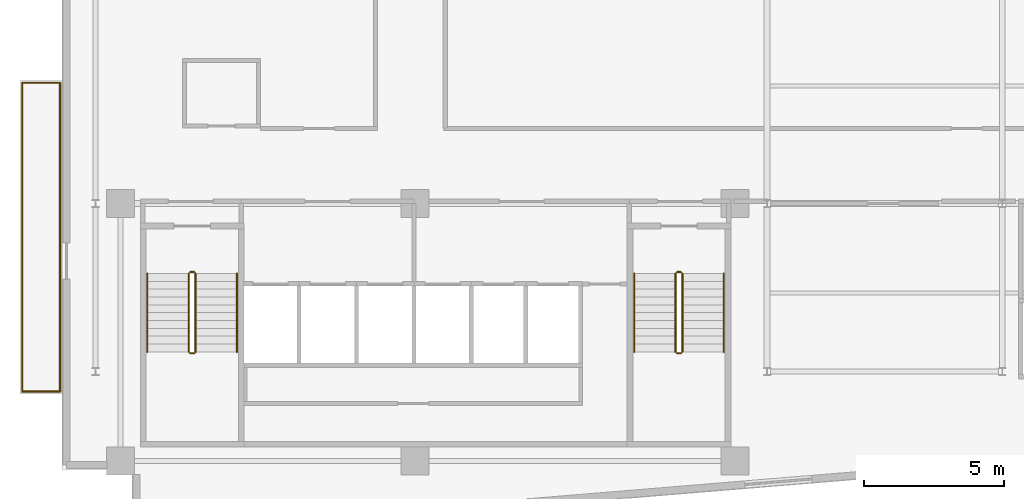
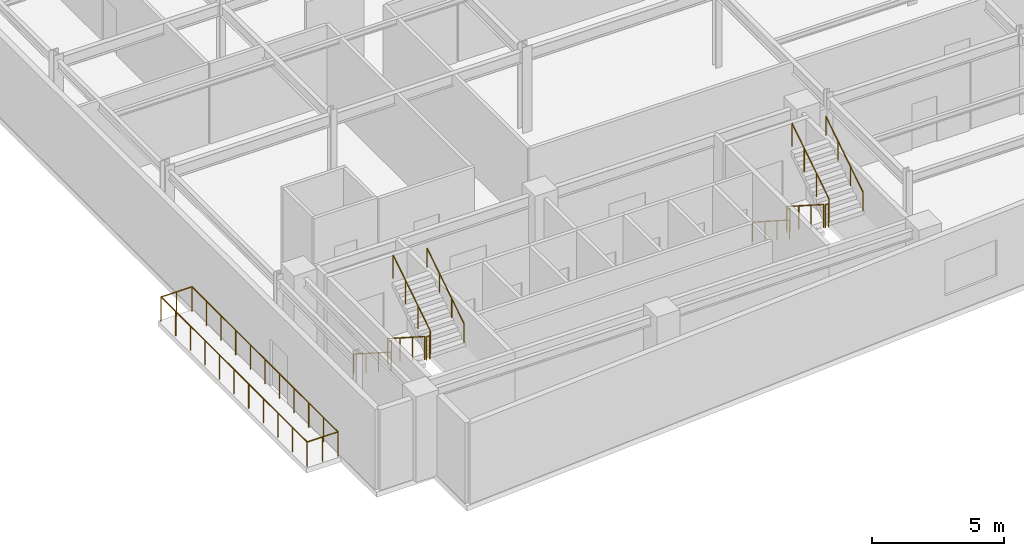
# One storey, part 14 of 16: 16 railings.
"""IFC4 building model written with IfcOpenShell, lengths in metres."""

from ifc_helpers import new_model, si_unit, direction, frame, origin, origin_2d, place, context, subcontext, project, spatial, circle, extrude, material, type_object, element, save


model = new_model("IFC4")

# Units and contexts
model_context = context("Model", 3, precision=1e-05, world=origin(), true_north=direction((0.0, 1.0)))
body_context = subcontext(model_context, "Body", "Model", "MODEL_VIEW")
ifc_project = project(units=[si_unit("LENGTHUNIT", "METRE"), si_unit("AREAUNIT", "SQUARE_METRE"), si_unit("VOLUMEUNIT", "CUBIC_METRE"), si_unit("PLANEANGLEUNIT", "RADIAN"), si_unit("MASSUNIT", "GRAM", prefix="KILO")], contexts=[model_context])

# Site, building, storey
site_placement = place(None, origin())
site = spatial("IfcSite", under=ifc_project, at=site_placement, CompositionType="ELEMENT")
building_placement = place(site_placement, origin())
building = spatial("IfcBuilding", under=site, at=building_placement, Name="Varnakote Quay Hospital", CompositionType="ELEMENT")
storey_placement = place(building_placement, frame((0.0, 0.0, 180.25)))
storey = spatial("IfcBuildingStorey", under=building, at=storey_placement, Name="L44", CompositionType="ELEMENT", Elevation=180.25)

# Railings
ifc_material_1 = material(Name="Anodised aluminium 6063-T6 Bronze", Category="aluminium")
railing_type_1 = type_object("IfcRailingType", Name="RLG-EXT-GUARD-1150", PredefinedType="GUARDRAIL", material=ifc_material_1)
railing_1_placement = place(storey_placement, frame((-0.075927734375, 5.280029296875, 0.0)))
element("IfcRailing", 1, at=railing_1_placement, inside=storey, type_object=railing_type_1, Name="L44 Zigzag Prow Healing Terrace Safety Guard", PredefinedType="GUARDRAIL", context=body_context, shape_type="SweptSolid", body=[
    extrude(circle(Radius=0.02392578125, at=origin_2d()), frame((0.0, 0.0, 1.1259765625), z_axis=(-1.0, 0.0, 0.0), x_axis=(0.0, -1.0, 0.0)), (0.0, 0.0, 1.0), 1.343994140625),
    extrude(circle(Radius=0.02099609375, at=origin_2d()), origin(), (0.0, 0.0, 1.0), 1.101806640625),
    extrude(circle(Radius=0.02099609375, at=origin_2d()), frame((-0.671875, 0.0, 0.0)), (0.0, 0.0, 1.0), 1.101806640625),
    extrude(circle(Radius=0.02099609375, at=origin_2d()), frame((-1.343994140625, 0.0, 0.0)), (0.0, 0.0, 1.0), 1.101806640625),
])
railing_2_placement = place(storey_placement, frame((-1.419921875, 5.280029296875, 0.0)))
element("IfcRailing", 2, at=railing_2_placement, inside=storey, type_object=railing_type_1, Name="L44 Zigzag Prow Healing Terrace Safety Guard", PredefinedType="GUARDRAIL", context=body_context, shape_type="SweptSolid", body=[
    extrude(circle(Radius=0.02392578125, at=origin_2d()), frame((0.0, 0.0, 1.1259765625), z_axis=(0.0, 1.0, 0.0), x_axis=(-1.0, 0.0, 0.0)), (0.0, 0.0, 1.0), 11.0400390625),
    extrude(circle(Radius=0.02099609375, at=origin_2d()), origin(), (0.0, 0.0, 1.0), 1.101806640625),
    extrude(circle(Radius=0.02099609375, at=origin_2d()), frame((0.0, 1.10400390625, 0.0)), (0.0, 0.0, 1.0), 1.101806640625),
    extrude(circle(Radius=0.02099609375, at=origin_2d()), frame((0.0, 2.2080078125, 0.0)), (0.0, 0.0, 1.0), 1.101806640625),
    extrude(circle(Radius=0.02099609375, at=origin_2d()), frame((0.0, 3.31201171875, 0.0)), (0.0, 0.0, 1.0), 1.101806640625),
    extrude(circle(Radius=0.02099609375, at=origin_2d()), frame((0.0, 4.416015625, 0.0)), (0.0, 0.0, 1.0), 1.101806640625),
    extrude(circle(Radius=0.02099609375, at=origin_2d()), frame((0.0, 5.52001953125, 0.0)), (0.0, 0.0, 1.0), 1.101806640625),
    extrude(circle(Radius=0.02099609375, at=origin_2d()), frame((0.0, 6.6240234375, 0.0)), (0.0, 0.0, 1.0), 1.101806640625),
    extrude(circle(Radius=0.02099609375, at=origin_2d()), frame((0.0, 7.72802734375, 0.0)), (0.0, 0.0, 1.0), 1.101806640625),
    extrude(circle(Radius=0.02099609375, at=origin_2d()), frame((0.0, 8.83203125, 0.0)), (0.0, 0.0, 1.0), 1.101806640625),
    extrude(circle(Radius=0.02099609375, at=origin_2d()), frame((0.0, 9.93603515625, 0.0)), (0.0, 0.0, 1.0), 1.101806640625),
    extrude(circle(Radius=0.02099609375, at=origin_2d()), frame((0.0, 11.0400390625, 0.0)), (0.0, 0.0, 1.0), 1.101806640625),
])
railing_3_placement = place(storey_placement, frame((-1.419921875, 16.320068359375, 0.0)))
element("IfcRailing", 3, at=railing_3_placement, inside=storey, type_object=railing_type_1, Name="L44 Zigzag Prow Healing Terrace Safety Guard", PredefinedType="GUARDRAIL", context=body_context, shape_type="SweptSolid", body=[
    extrude(circle(Radius=0.02392578125, at=origin_2d()), frame((0.0, 0.0, 1.1259765625), z_axis=(1.0, 0.0, 0.0), x_axis=(0.0, 1.0, 0.0)), (0.0, 0.0, 1.0), 1.343994140625),
    extrude(circle(Radius=0.02099609375, at=origin_2d()), origin(), (0.0, 0.0, 1.0), 1.101806640625),
    extrude(circle(Radius=0.02099609375, at=origin_2d()), frame((0.671875, 0.0, 0.0)), (0.0, 0.0, 1.0), 1.101806640625),
    extrude(circle(Radius=0.02099609375, at=origin_2d()), frame((1.343994140625, 0.0, 0.0)), (0.0, 0.0, 1.0), 1.101806640625),
])
railing_4_placement = place(storey_placement, frame((-0.075927734375, 16.320068359375, 0.0)))
element("IfcRailing", 4, at=railing_4_placement, inside=storey, type_object=railing_type_1, Name="L44 Zigzag Prow Healing Terrace Safety Guard", PredefinedType="GUARDRAIL", context=body_context, shape_type="SweptSolid", body=[
    extrude(circle(Radius=0.02392578125, at=origin_2d()), frame((0.0, 0.0, 1.1259765625), z_axis=(0.0, -1.0, 0.0), x_axis=(1.0, 0.0, 0.0)), (0.0, 0.0, 1.0), 11.0400390625),
    extrude(circle(Radius=0.02099609375, at=origin_2d()), origin(), (0.0, 0.0, 1.0), 1.101806640625),
    extrude(circle(Radius=0.02099609375, at=origin_2d()), frame((0.0, -1.10400390625, 0.0)), (0.0, 0.0, 1.0), 1.101806640625),
    extrude(circle(Radius=0.02099609375, at=origin_2d()), frame((0.0, -2.2080078125, 0.0)), (0.0, 0.0, 1.0), 1.101806640625),
    extrude(circle(Radius=0.02099609375, at=origin_2d()), frame((0.0, -3.31201171875, 0.0)), (0.0, 0.0, 1.0), 1.101806640625),
    extrude(circle(Radius=0.02099609375, at=origin_2d()), frame((0.0, -4.416015625, 0.0)), (0.0, 0.0, 1.0), 1.101806640625),
    extrude(circle(Radius=0.02099609375, at=origin_2d()), frame((0.0, -5.52001953125, 0.0)), (0.0, 0.0, 1.0), 1.101806640625),
    extrude(circle(Radius=0.02099609375, at=origin_2d()), frame((0.0, -6.6240234375, 0.0)), (0.0, 0.0, 1.0), 1.101806640625),
    extrude(circle(Radius=0.02099609375, at=origin_2d()), frame((0.0, -7.72802734375, 0.0)), (0.0, 0.0, 1.0), 1.101806640625),
    extrude(circle(Radius=0.02099609375, at=origin_2d()), frame((0.0, -8.83203125, 0.0)), (0.0, 0.0, 1.0), 1.101806640625),
    extrude(circle(Radius=0.02099609375, at=origin_2d()), frame((0.0, -9.93603515625, 0.0)), (0.0, 0.0, 1.0), 1.101806640625),
    extrude(circle(Radius=0.02099609375, at=origin_2d()), frame((0.0, -11.0400390625, 0.0)), (0.0, 0.0, 1.0), 1.101806640625),
])
ifc_material_2 = material(Name="Brushed stainless steel balustrade", Category="steel")
railing_type_2 = type_object("IfcRailingType", Name="RLG-STAIR-GUARD-1150", PredefinedType="GUARDRAIL", material=ifc_material_2)
railing_5_placement = place(storey_placement, frame((4.530029296875, 9.5, 0.179443359375)))
element("IfcRailing", 5, at=railing_5_placement, inside=storey, type_object=railing_type_2, Name="L44 ST-01 stair guard 1", PredefinedType="GUARDRAIL", context=body_context, shape_type="SweptSolid", body=[
    extrude(circle(Radius=0.02392578125, at=origin_2d()), frame((0.0, 0.0, 1.076171875), z_axis=(0.0, -0.841776520102, 0.539826166654), x_axis=(1.0, 0.0, 0.0)), (0.0, 0.0, 1.0), 3.326416015625),
    extrude(circle(Radius=0.02099609375, at=origin_2d()), origin(), (0.0, 0.0, 1.0), 1.052001953125),
    extrude(circle(Radius=0.02099609375, at=origin_2d()), frame((0.0, -0.933349609375, 0.5986328125)), (0.0, 0.0, 1.0), 1.052001953125),
    extrude(circle(Radius=0.02099609375, at=origin_2d()), frame((0.0, -1.86669921875, 1.197021484375)), (0.0, 0.0, 1.0), 1.052001953125),
    extrude(circle(Radius=0.02099609375, at=origin_2d()), frame((0.0, -2.800048828125, 1.795654296875)), (0.0, 0.0, 1.0), 1.052001953125),
])
railing_6_placement = place(storey_placement, frame((4.580078125, 6.64990234375, 1.97509765625)))
element("IfcRailing", 6, at=railing_6_placement, inside=storey, type_object=railing_type_2, Name="L44 ST-01 stair guard 2", PredefinedType="GUARDRAIL", context=body_context, shape_type="SweptSolid", body=[
    extrude(circle(Radius=0.02392578125, at=origin_2d()), frame((0.0, 0.0, 1.076171875), z_axis=(1.0, 0.0, 0.0), x_axis=(0.0, 1.0, 0.0)), (0.0, 0.0, 1.0), 0.139892578125),
    extrude(circle(Radius=0.02099609375, at=origin_2d()), origin(), (0.0, 0.0, 1.0), 1.052001953125),
    extrude(circle(Radius=0.02099609375, at=origin_2d()), frame((0.139892578125, 0.0, 0.0)), (0.0, 0.0, 1.0), 1.052001953125),
])
railing_7_placement = place(storey_placement, frame((4.77001953125, 6.699951171875, 2.154541015625)))
element("IfcRailing", 7, at=railing_7_placement, inside=storey, type_object=railing_type_2, Name="L44 ST-01 stair guard 3", PredefinedType="GUARDRAIL", context=body_context, shape_type="SweptSolid", body=[
    extrude(circle(Radius=0.02392578125, at=origin_2d()), frame((0.0, 0.0, 1.076171875), z_axis=(0.0, 0.841809871826, 0.539774156196), x_axis=(-1.0, 0.0, 0.0)), (0.0, 0.0, 1.0), 3.326171875),
    extrude(circle(Radius=0.02099609375, at=origin_2d()), origin(), (0.0, 0.0, 1.0), 1.052001953125),
    extrude(circle(Radius=0.02099609375, at=origin_2d()), frame((0.0, 0.933349609375, 0.598388671875)), (0.0, 0.0, 1.0), 1.052001953125),
    extrude(circle(Radius=0.02099609375, at=origin_2d()), frame((0.0, 1.86669921875, 1.197021484375)), (0.0, 0.0, 1.0), 1.052001953125),
    extrude(circle(Radius=0.02099609375, at=origin_2d()), frame((0.0, 2.800048828125, 1.79541015625)), (0.0, 0.0, 1.0), 1.052001953125),
])
railing_8_placement = place(storey_placement, frame((4.580078125, 9.550048828125, 0.0)))
element("IfcRailing", 8, at=railing_8_placement, inside=storey, type_object=railing_type_2, Name="L44 ST-01 stair guard 4", PredefinedType="GUARDRAIL", context=body_context, shape_type="SweptSolid", body=[
    extrude(circle(Radius=0.02392578125, at=origin_2d()), frame((0.0, 0.0, 1.076171875), z_axis=(1.0, 0.0, 0.0), x_axis=(0.0, 1.0, 0.0)), (0.0, 0.0, 1.0), 0.139892578125),
    extrude(circle(Radius=0.02099609375, at=origin_2d()), origin(), (0.0, 0.0, 1.0), 1.052001953125),
    extrude(circle(Radius=0.02099609375, at=origin_2d()), frame((0.139892578125, 0.0, 0.0)), (0.0, 0.0, 1.0), 1.052001953125),
])
railing_9_placement = place(storey_placement, frame((21.929931640625, 9.5, 0.179443359375)))
element("IfcRailing", 9, at=railing_9_placement, inside=storey, type_object=railing_type_2, Name="L44 ST-02 stair guard 1", PredefinedType="GUARDRAIL", context=body_context, shape_type="SweptSolid", body=[
    extrude(circle(Radius=0.02392578125, at=origin_2d()), frame((0.0, 0.0, 1.076171875), z_axis=(0.0, -0.841776520102, 0.539826166654), x_axis=(1.0, 0.0, 0.0)), (0.0, 0.0, 1.0), 3.326416015625),
    extrude(circle(Radius=0.02099609375, at=origin_2d()), origin(), (0.0, 0.0, 1.0), 1.052001953125),
    extrude(circle(Radius=0.02099609375, at=origin_2d()), frame((0.0, -0.933349609375, 0.5986328125)), (0.0, 0.0, 1.0), 1.052001953125),
    extrude(circle(Radius=0.02099609375, at=origin_2d()), frame((0.0, -1.86669921875, 1.197021484375)), (0.0, 0.0, 1.0), 1.052001953125),
    extrude(circle(Radius=0.02099609375, at=origin_2d()), frame((0.0, -2.800048828125, 1.795654296875)), (0.0, 0.0, 1.0), 1.052001953125),
])
railing_10_placement = place(storey_placement, frame((21.97998046875, 6.64990234375, 1.97509765625)))
element("IfcRailing", 10, at=railing_10_placement, inside=storey, type_object=railing_type_2, Name="L44 ST-02 stair guard 2", PredefinedType="GUARDRAIL", context=body_context, shape_type="SweptSolid", body=[
    extrude(circle(Radius=0.02392578125, at=origin_2d()), frame((0.0, 0.0, 1.076171875), z_axis=(1.0, 0.0, 0.0), x_axis=(0.0, 1.0, 0.0)), (0.0, 0.0, 1.0), 0.14013671875),
    extrude(circle(Radius=0.02099609375, at=origin_2d()), origin(), (0.0, 0.0, 1.0), 1.052001953125),
    extrude(circle(Radius=0.02099609375, at=origin_2d()), frame((0.14013671875, 0.0, 0.0)), (0.0, 0.0, 1.0), 1.052001953125),
])
railing_11_placement = place(storey_placement, frame((22.169921875, 6.699951171875, 2.154541015625)))
element("IfcRailing", 11, at=railing_11_placement, inside=storey, type_object=railing_type_2, Name="L44 ST-02 stair guard 3", PredefinedType="GUARDRAIL", context=body_context, shape_type="SweptSolid", body=[
    extrude(circle(Radius=0.02392578125, at=origin_2d()), frame((0.0, 0.0, 1.076171875), z_axis=(0.0, 0.841809871826, 0.539774156196), x_axis=(-1.0, 0.0, 0.0)), (0.0, 0.0, 1.0), 3.326171875),
    extrude(circle(Radius=0.02099609375, at=origin_2d()), origin(), (0.0, 0.0, 1.0), 1.052001953125),
    extrude(circle(Radius=0.02099609375, at=origin_2d()), frame((0.0, 0.933349609375, 0.598388671875)), (0.0, 0.0, 1.0), 1.052001953125),
    extrude(circle(Radius=0.02099609375, at=origin_2d()), frame((0.0, 1.86669921875, 1.197021484375)), (0.0, 0.0, 1.0), 1.052001953125),
    extrude(circle(Radius=0.02099609375, at=origin_2d()), frame((0.0, 2.800048828125, 1.79541015625)), (0.0, 0.0, 1.0), 1.052001953125),
])
railing_12_placement = place(storey_placement, frame((21.97998046875, 9.550048828125, 0.0)))
element("IfcRailing", 12, at=railing_12_placement, inside=storey, type_object=railing_type_2, Name="L44 ST-02 stair guard 4", PredefinedType="GUARDRAIL", context=body_context, shape_type="SweptSolid", body=[
    extrude(circle(Radius=0.02392578125, at=origin_2d()), frame((0.0, 0.0, 1.076171875), z_axis=(1.0, 0.0, 0.0), x_axis=(0.0, 1.0, 0.0)), (0.0, 0.0, 1.0), 0.14013671875),
    extrude(circle(Radius=0.02099609375, at=origin_2d()), origin(), (0.0, 0.0, 1.0), 1.052001953125),
    extrude(circle(Radius=0.02099609375, at=origin_2d()), frame((0.14013671875, 0.0, 0.0)), (0.0, 0.0, 1.0), 1.052001953125),
])
ifc_material_3 = material(Name="Brushed stainless steel handrail", Category="steel")
railing_type_3 = type_object("IfcRailingType", Name="RLG-STAIR-HND-920", PredefinedType="HANDRAIL", material=ifc_material_3)
railing_13_placement = place(storey_placement, frame((3.050048828125, 9.5, 0.179443359375)))
element("IfcRailing", 13, at=railing_13_placement, inside=storey, type_object=railing_type_3, Name="L44 ST-01 stair handrail 1", PredefinedType="HANDRAIL", context=body_context, shape_type="SweptSolid", body=[
    extrude(circle(Radius=0.02392578125, at=origin_2d()), frame((0.0, 0.0, 0.8759765625), z_axis=(0.0, -0.841776520102, 0.539826166654), x_axis=(1.0, 0.0, 0.0)), (0.0, 0.0, 1.0), 3.326416015625),
    extrude(circle(Radius=0.02099609375, at=origin_2d()), origin(), (0.0, 0.0, 1.0), 0.851806640625),
    extrude(circle(Radius=0.02099609375, at=origin_2d()), frame((0.0, -0.933349609375, 0.5986328125)), (0.0, 0.0, 1.0), 0.851806640625),
    extrude(circle(Radius=0.02099609375, at=origin_2d()), frame((0.0, -1.86669921875, 1.197021484375)), (0.0, 0.0, 1.0), 0.851806640625),
    extrude(circle(Radius=0.02099609375, at=origin_2d()), frame((0.0, -2.800048828125, 1.795654296875)), (0.0, 0.0, 1.0), 0.851806640625),
])
railing_14_placement = place(storey_placement, frame((6.25, 6.699951171875, 2.154541015625)))
element("IfcRailing", 14, at=railing_14_placement, inside=storey, type_object=railing_type_3, Name="L44 ST-01 stair handrail 2", PredefinedType="HANDRAIL", context=body_context, shape_type="SweptSolid", body=[
    extrude(circle(Radius=0.02392578125, at=origin_2d()), frame((0.0, 0.0, 0.8759765625), z_axis=(0.0, 0.841809871826, 0.539774156196), x_axis=(-1.0, 0.0, 0.0)), (0.0, 0.0, 1.0), 3.326171875),
    extrude(circle(Radius=0.02099609375, at=origin_2d()), origin(), (0.0, 0.0, 1.0), 0.851806640625),
    extrude(circle(Radius=0.02099609375, at=origin_2d()), frame((0.0, 0.933349609375, 0.598388671875)), (0.0, 0.0, 1.0), 0.851806640625),
    extrude(circle(Radius=0.02099609375, at=origin_2d()), frame((0.0, 1.86669921875, 1.197021484375)), (0.0, 0.0, 1.0), 0.851806640625),
    extrude(circle(Radius=0.02099609375, at=origin_2d()), frame((0.0, 2.800048828125, 1.79541015625)), (0.0, 0.0, 1.0), 0.851806640625),
])
railing_15_placement = place(storey_placement, frame((20.449951171875, 9.5, 0.179443359375)))
element("IfcRailing", 15, at=railing_15_placement, inside=storey, type_object=railing_type_3, Name="L44 ST-02 stair handrail 1", PredefinedType="HANDRAIL", context=body_context, shape_type="SweptSolid", body=[
    extrude(circle(Radius=0.02392578125, at=origin_2d()), frame((0.0, 0.0, 0.8759765625), z_axis=(0.0, -0.841776520102, 0.539826166654), x_axis=(1.0, 0.0, 0.0)), (0.0, 0.0, 1.0), 3.326416015625),
    extrude(circle(Radius=0.02099609375, at=origin_2d()), origin(), (0.0, 0.0, 1.0), 0.851806640625),
    extrude(circle(Radius=0.02099609375, at=origin_2d()), frame((0.0, -0.933349609375, 0.5986328125)), (0.0, 0.0, 1.0), 0.851806640625),
    extrude(circle(Radius=0.02099609375, at=origin_2d()), frame((0.0, -1.86669921875, 1.197021484375)), (0.0, 0.0, 1.0), 0.851806640625),
    extrude(circle(Radius=0.02099609375, at=origin_2d()), frame((0.0, -2.800048828125, 1.795654296875)), (0.0, 0.0, 1.0), 0.851806640625),
])
railing_16_placement = place(storey_placement, frame((23.64990234375, 6.699951171875, 2.154541015625)))
element("IfcRailing", 16, at=railing_16_placement, inside=storey, type_object=railing_type_3, Name="L44 ST-02 stair handrail 2", PredefinedType="HANDRAIL", context=body_context, shape_type="SweptSolid", body=[
    extrude(circle(Radius=0.02392578125, at=origin_2d()), frame((0.0, 0.0, 0.8759765625), z_axis=(0.0, 0.841809871826, 0.539774156196), x_axis=(-1.0, 0.0, 0.0)), (0.0, 0.0, 1.0), 3.326171875),
    extrude(circle(Radius=0.02099609375, at=origin_2d()), origin(), (0.0, 0.0, 1.0), 0.851806640625),
    extrude(circle(Radius=0.02099609375, at=origin_2d()), frame((0.0, 0.933349609375, 0.598388671875)), (0.0, 0.0, 1.0), 0.851806640625),
    extrude(circle(Radius=0.02099609375, at=origin_2d()), frame((0.0, 1.86669921875, 1.197021484375)), (0.0, 0.0, 1.0), 0.851806640625),
    extrude(circle(Radius=0.02099609375, at=origin_2d()), frame((0.0, 2.800048828125, 1.79541015625)), (0.0, 0.0, 1.0), 0.851806640625),
])

save(model, "model.ifc")
